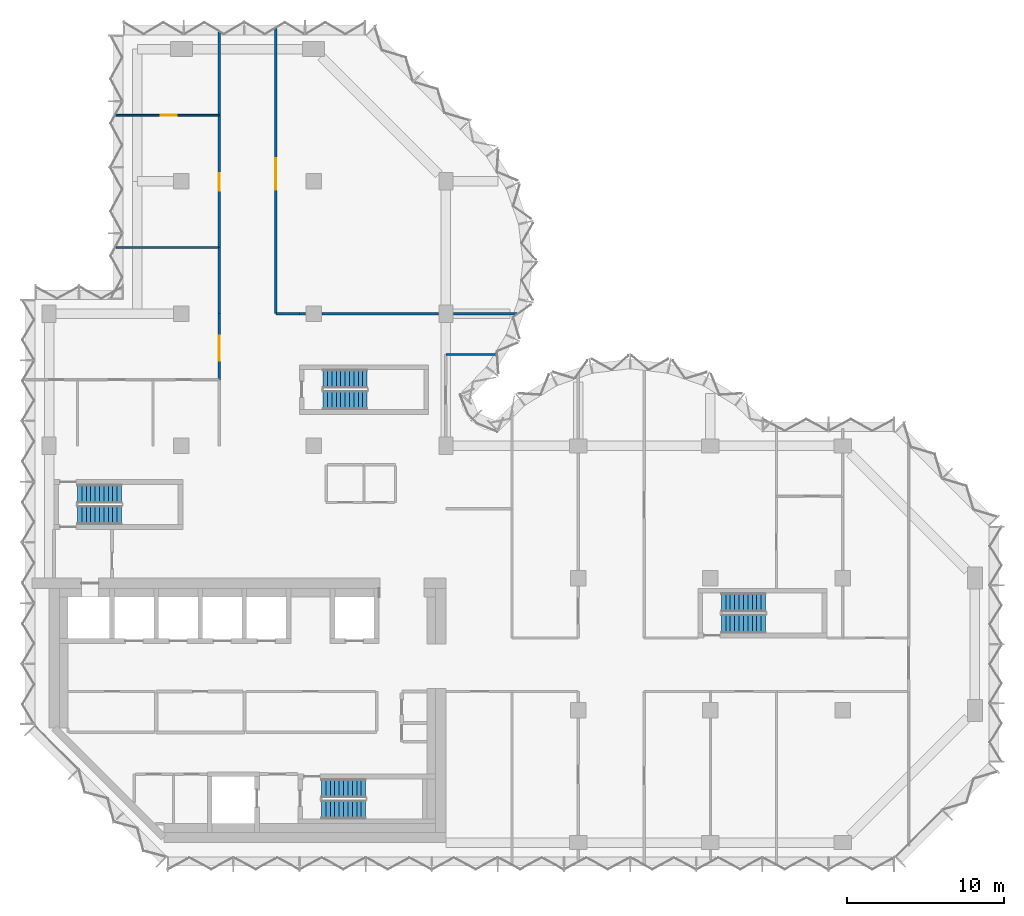
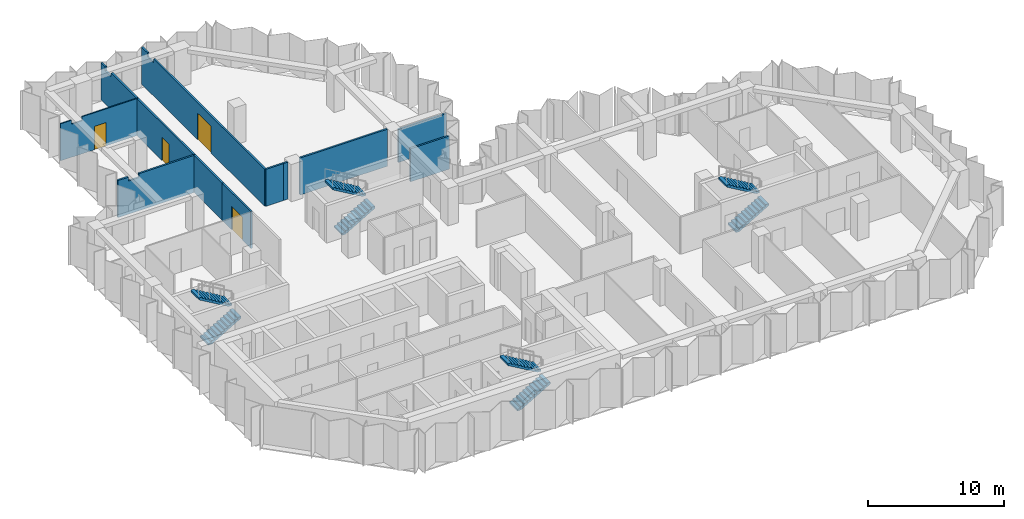
# One storey, part 8 of 10: 12 walls, 8 stair flights, 4 doors, 4 openings, 4 elements without a shape of their own.
"""IFC4 building model written with IfcOpenShell, lengths in metres."""

import ifcopenshell
import ifcopenshell.guid

model = None  # the IFC model being written
_history = None  # IfcOwnerHistory: only IFC2X3 demands one
_inside = {}  # id of a spatial element -> (the spatial element, [elements in it])
_under = {}  # id of a project, library or spatial element -> (it, [spatial elements below it])
_declared = {}  # id of a project -> (the project, [libraries it declares])
_typed = {}  # id of a type object -> (the type object, [elements of that type])
_made_of = {}  # id of a material, layer set ... -> (it, [elements and type objects made of it])


def new_model(schema):
    """Start an empty IFC model of exactly this schema.

    Asked for "IFC4X3", IfcOpenShell would pick the latest addendum, in which some entities
    have other attributes; the version numbers below select the first issue.
    IFC2X3 requires an IfcOwnerHistory on every rooted entity: one is made here for all.
    """
    global model, _history
    if schema == "IFC4X3":
        model = ifcopenshell.file(schema_version=(4, 3, 0, 0))
    else:
        model = ifcopenshell.file(schema=schema)
    _inside.clear()
    _under.clear()
    _declared.clear()
    _typed.clear()
    _made_of.clear()
    _history = None
    if model.schema == "IFC2X3":
        org = make("IfcOrganization", Name="unknown")
        user = make(
            "IfcPersonAndOrganization",
            ThePerson=make("IfcPerson", FamilyName="unknown"),
            TheOrganization=org,
        )
        app = make(
            "IfcApplication",
            ApplicationDeveloper=org,
            Version="unknown",
            ApplicationFullName="unknown",
            ApplicationIdentifier="unknown",
        )
        _history = make(
            "IfcOwnerHistory",
            OwningUser=user,
            OwningApplication=app,
            ChangeAction="ADDED",
            CreationDate=0,
        )
    return model


def make(cls, **values):
    """One entity of the class cls with the attributes given. An attribute that is None is left unset."""
    return model.create_entity(
        cls, **{name: value for name, value in values.items() if value is not None}
    )


def rooted(cls, **values):
    """An entity with a GlobalId (a new one), such as an element, a storey or a relation."""
    return make(cls, GlobalId=ifcopenshell.guid.new(), OwnerHistory=_history, **values)


def si_unit(unit_type, name, prefix=None):
    """IfcSIUnit, for example si_unit("LENGTHUNIT", "METRE", prefix="MILLI")."""
    return make("IfcSIUnit", UnitType=unit_type, Prefix=prefix, Name=name)


def assignment(units):
    """IfcUnitAssignment: the units of a project."""
    return None if units is None else make("IfcUnitAssignment", Units=units)


def point(xyz):
    """IfcCartesianPoint."""
    return None if xyz is None else make("IfcCartesianPoint", Coordinates=xyz)


def direction(xyz):
    """IfcDirection."""
    return None if xyz is None else make("IfcDirection", DirectionRatios=xyz)


def frame(location, z_axis=None, x_axis=None):
    """IfcAxis2Placement3D, a coordinate frame: its origin and axes. An axis left out is left unset."""
    return make(
        "IfcAxis2Placement3D",
        Location=point(location),
        Axis=direction(z_axis),
        RefDirection=direction(x_axis),
    )


def frame_2d(location, x_axis=None):
    """IfcAxis2Placement2D, a coordinate frame in the plane: its origin and x axis."""
    return make(
        "IfcAxis2Placement2D", Location=point(location), RefDirection=direction(x_axis)
    )


def origin():
    """The frame at (0, 0, 0) with its axes left unset."""
    return frame((0.0, 0.0, 0.0))


def place(relative_to, where):
    """IfcLocalPlacement: puts the frame where relative to a parent placement (None: the world)."""
    return make(
        "IfcLocalPlacement", PlacementRelTo=relative_to, RelativePlacement=where
    )


def context(
    kind, dimensions, precision=None, world=None, true_north=None, identifier=None
):
    """IfcGeometricRepresentationContext, for example the 3D "Model" context."""
    return make(
        "IfcGeometricRepresentationContext",
        ContextIdentifier=identifier,
        ContextType=kind,
        CoordinateSpaceDimension=dimensions,
        Precision=precision,
        WorldCoordinateSystem=world,
        TrueNorth=true_north,
    )


def subcontext(parent, identifier, kind, view, scale=None):
    """IfcGeometricRepresentationSubContext, for example "Body" below "Model"."""
    return make(
        "IfcGeometricRepresentationSubContext",
        ContextIdentifier=identifier,
        ContextType=kind,
        ParentContext=parent,
        TargetScale=scale,
        TargetView=view,
    )


def project(units=None, contexts=None):
    """IfcProject with its units and contexts."""
    return rooted(
        "IfcProject",
        Name="project",
        RepresentationContexts=contexts,
        UnitsInContext=assignment(units),
    )


def spatial(cls, under=None, at=None, **own):
    """A site, building, storey or space (cls), placed at a placement, below another one or the project."""
    s = rooted(cls, ObjectPlacement=at, **own)
    if under is not None:
        _under.setdefault(under.id(), (under, []))[1].append(s)
    return s


def polyline(points):
    """IfcPolyline through the points."""
    return make("IfcPolyline", Points=[point(p) for p in points])


def profile(cls, at=None, kind="AREA", **sizes):
    """A parametric profile (cls). Its sizes go by their IFC names, for example OverallWidth=200.0."""
    return make(cls, ProfileType=kind, Position=at, **sizes)


def rectangle(**sizes):
    """IfcRectangleProfileDef."""
    return profile("IfcRectangleProfileDef", **sizes)


def outline(outer, holes=None, kind="AREA"):
    """IfcArbitraryClosedProfileDef: a profile drawn as a closed curve; with holes, ...WithVoids."""
    if holes is None:
        return make("IfcArbitraryClosedProfileDef", ProfileType=kind, OuterCurve=outer)
    return make(
        "IfcArbitraryProfileDefWithVoids",
        ProfileType=kind,
        OuterCurve=outer,
        InnerCurves=holes,
    )


def extrude(swept, where, along, depth):
    """IfcExtrudedAreaSolid: the profile swept, set in the frame where, extruded along a direction by depth."""
    return make(
        "IfcExtrudedAreaSolid",
        SweptArea=swept,
        Position=where,
        ExtrudedDirection=direction(along),
        Depth=depth,
    )


def shape(context_of_items, identifier, shape_type, items):
    """IfcShapeRepresentation: the items that make up one representation, for example the "Body"."""
    return make(
        "IfcShapeRepresentation",
        ContextOfItems=context_of_items,
        RepresentationIdentifier=identifier,
        RepresentationType=shape_type,
        Items=items,
    )


def material(Name=None, Category=None):
    """IfcMaterial."""
    return make("IfcMaterial", Name=Name, Category=Category)


def layer(
    of_material, thickness, ventilated=None, Name=None, Category=None, Priority=None
):
    """IfcMaterialLayer: one layer of a wall or slab, of a material (None: an air gap)."""
    return make(
        "IfcMaterialLayer",
        Material=of_material,
        LayerThickness=thickness,
        IsVentilated=ventilated,
        Name=Name,
        Category=Category,
        Priority=Priority,
    )


def layer_set(layers, Name=None):
    """IfcMaterialLayerSet."""
    return make("IfcMaterialLayerSet", MaterialLayers=layers, LayerSetName=Name)


def made_of(thing, what):
    """Note that an element or type object is made of a material, layer set ...; save() writes the relation."""
    if what is not None:
        _made_of.setdefault(what.id(), (what, []))[1].append(thing)
    return thing


def type_object(cls, material=None, **own):
    """A type object (cls), such as IfcWallType, which elements share."""
    return made_of(rooted(cls, **own), material)


def element(
    cls,
    number,
    at=None,
    inside=None,
    cuts=None,
    type_object=None,
    material=None,
    context=None,
    identifier="Body",
    shape_type=None,
    held_by="IfcProductDefinitionShape",
    body=None,
    shapes=None,
    **own,
):
    """One element of the class cls, such as IfcWall. Its Tag is "e" and its number.

    at: its placement. inside: the storey or other place that contains it. cuts: it is an
    opening in that element (IfcRelVoidsElement). A single representation is given by context,
    identifier, shape_type and body (its items); several are given by shapes. held_by: the class
    of the entity that holds the representations. save() writes the other relations.
    """
    e = rooted(cls, Tag="e%d" % number, ObjectPlacement=at, **own)
    if body is not None:
        shapes = [shape(context, identifier, shape_type, body)]
    if shapes is not None:
        e.Representation = make(held_by, Representations=shapes)
    if inside is not None:
        _inside.setdefault(inside.id(), (inside, []))[1].append(e)
    if cuts is not None:
        rooted(
            "IfcRelVoidsElement", RelatingBuildingElement=cuts, RelatedOpeningElement=e
        )
    if type_object is not None:
        _typed.setdefault(type_object.id(), (type_object, []))[1].append(e)
    return made_of(e, material)


def fill(opening, filler):
    """IfcRelFillsElement: the door or window that sits in an opening."""
    return rooted(
        "IfcRelFillsElement",
        RelatingOpeningElement=opening,
        RelatedBuildingElement=filler,
    )


def aggregate(whole, parts):
    """IfcRelAggregates: a whole, such as a stair, and the parts it consists of."""
    return rooted("IfcRelAggregates", RelatingObject=whole, RelatedObjects=parts)


def save(model, path):
    """Write the relations noted so far, then the file.

    IfcRelAggregates (storeys below a building ...), IfcRelContainedInSpatialStructure (elements
    in a storey), IfcRelDefinesByType, IfcRelAssociatesMaterial and IfcRelDeclares: one each for
    every whole, place, type object, material and project.
    """
    for whole, parts in _under.values():
        aggregate(whole, parts)
    for where, things in _inside.values():
        rooted(
            "IfcRelContainedInSpatialStructure",
            RelatedElements=things,
            RelatingStructure=where,
        )
    for kind, things in _typed.values():
        rooted("IfcRelDefinesByType", RelatedObjects=things, RelatingType=kind)
    for what, things in _made_of.values():
        rooted("IfcRelAssociatesMaterial", RelatedObjects=things, RelatingMaterial=what)
    for by, libraries in _declared.values():
        rooted("IfcRelDeclares", RelatingContext=by, RelatedDefinitions=libraries)
    model.write(path)


model = new_model("IFC4")

# Units and contexts
model_context = context("Model", 3, precision=1e-05, world=origin(), true_north=direction((0.0, 1.0)))
body_context = subcontext(model_context, "Body", "Model", "MODEL_VIEW")
ifc_project = project(units=[si_unit("LENGTHUNIT", "METRE"), si_unit("AREAUNIT", "SQUARE_METRE"), si_unit("VOLUMEUNIT", "CUBIC_METRE"), si_unit("PLANEANGLEUNIT", "RADIAN"), si_unit("MASSUNIT", "GRAM", prefix="KILO")], contexts=[model_context])

# Site, building, storey
site_placement = place(None, origin())
site = spatial("IfcSite", under=ifc_project, at=site_placement, CompositionType="ELEMENT")
building_placement = place(site_placement, origin())
building = spatial("IfcBuilding", under=site, at=building_placement, Name="Brevane Broadcast Tower", CompositionType="ELEMENT")
storey_placement = place(building_placement, frame((0.0, 0.0, 170.39990234375)))
storey = spatial("IfcBuildingStorey", under=building, at=storey_placement, Name="L42", CompositionType="ELEMENT", Elevation=170.39990234375)

# Wall, opening, door
ifc_material_1 = material(Name="Gypsum board partition")
ifc_layer_1 = layer(ifc_material_1, 0.10009765625)
ifc_layer_set_1 = layer_set([ifc_layer_1], Name="PARTITION 100 STUD")
wall_type_1 = type_object("IfcWallType", Name="PARTITION 100 STUD", PredefinedType="PARTITIONING", material=ifc_layer_set_1)
wall_1_placement = place(storey_placement, frame((4.235107421875, 46.199951171875, 0.0), z_axis=(0.0, 0.0, 1.0), x_axis=(1.0, 0.0, 0.0)))
wall_1 = element("IfcWall", 1, at=wall_1_placement, inside=storey, type_object=wall_type_1, Name="Partition G12-054", PredefinedType="PARTITIONING", context=body_context, shape_type="SweptSolid", body=[
    extrude(outline(polyline([(0.0, 0.0), (6.56494140625, 0.0), (6.56494140625, 3.330078125), (1.81494140625, 3.330078125), (1.81298828125, 2.97998046875), (0.9169921875, 2.97998046875), (0.9150390625, 3.330078125), (0.264892578125, 3.330078125), (0.0, 3.330078125), (0.0, 0.0)])), frame((0.0, 0.050048828125, 0.0), z_axis=(0.0, -1.0, 0.0), x_axis=(1.0, 0.0, 0.0)), (0.0, 0.0, 1.0), 0.10009765625),
])
opening_1_placement = place(wall_1_placement, frame((2.864990234375, 0.0, 0.0)))
opening_1 = element("IfcOpeningElement", 2, at=opening_1_placement, cuts=wall_1, Name="Opening D21-018", PredefinedType="OPENING", context=body_context, shape_type="SweptSolid", body=[
    extrude(rectangle(XDim=1.0, YDim=2.10009765625, at=frame_2d((0.5, 1.050048828125))), frame((0.0, 0.06005859375, 0.0), z_axis=(0.0, -1.0, 0.0), x_axis=(1.0, 0.0, 0.0)), (0.0, 0.0, 1.0), 0.1201171875),
])
ifc_material_2 = material(Name="Timber door leaf", Category="wood")
door_type_1 = type_object("IfcDoorType", Name="DOOR SINGLE 1000 INTERNAL", OperationType="SINGLE_SWING_LEFT", PredefinedType="DOOR", material=ifc_material_2)
door_1_placement = place(opening_1_placement, origin())
door_1 = element("IfcDoor", 3, at=door_1_placement, inside=storey, type_object=door_type_1, Name="Door D21-018", OperationType="SINGLE_SWING_LEFT", OverallHeight=2.10009765625, OverallWidth=1.0, PredefinedType="DOOR", context=body_context, shape_type="SweptSolid", body=[
    extrude(rectangle(XDim=1.0, YDim=2.10009765625, at=frame_2d((0.5, 1.050048828125))), frame((0.0, 0.02490234375, 0.0), z_axis=(0.0, -1.0, 0.0), x_axis=(1.0, 0.0, 0.0)), (0.0, 0.0, 1.0), 0.050048828125),
])
fill(opening_1, door_1)

# Wall
ifc_layer_2 = layer(ifc_material_1, 0.14990234375)
ifc_layer_set_2 = layer_set([ifc_layer_2], Name="PARTITION 150 EI 60")
wall_type_2 = type_object("IfcWallType", Name="PARTITION 150 EI 60", PredefinedType="PARTITIONING", material=ifc_layer_set_2)
wall_2_placement = place(storey_placement, frame((25.199951171875, 31.0, 0.0), z_axis=(0.0, 0.0, 1.0), x_axis=(1.0, 0.0, 0.0)))
element("IfcWall", 4, at=wall_2_placement, inside=storey, type_object=wall_type_2, Name="Partition G12-006", PredefinedType="PARTITIONING", context=body_context, shape_type="SweptSolid", body=[
    extrude(rectangle(XDim=3.32421875, YDim=0.14990234375, at=frame_2d((1.662109375, 0.0))), origin(), (0.0, 0.0, 1.0), 2.97998046875),
])

# Wall, opening, door
wall_3_placement = place(storey_placement, frame((10.800048828125, 29.39990234375, 0.0), z_axis=(0.0, 0.0, 1.0), x_axis=(0.0, 1.0, 0.0)))
wall_3 = element("IfcWall", 5, at=wall_3_placement, inside=storey, type_object=wall_type_2, Name="Partition G12-038", PredefinedType="PARTITIONING", context=body_context, shape_type="SweptSolid", body=[
    extrude(rectangle(XDim=4.2001953125, YDim=0.14990234375, at=frame_2d((2.10009765625, 0.0))), origin(), (0.0, 0.0, 1.0), 3.330078125),
])
opening_2_placement = place(wall_3_placement, frame((1.199951171875, 0.0, 0.0)))
opening_2 = element("IfcOpeningElement", 6, at=opening_2_placement, cuts=wall_3, Name="Opening D21-013", PredefinedType="OPENING", context=body_context, shape_type="SweptSolid", body=[
    extrude(rectangle(XDim=1.60009765625, YDim=2.10009765625, at=frame_2d((0.800048828125, 1.050048828125))), frame((0.0, 0.0849609375, 0.0), z_axis=(0.0, -1.0, 0.0), x_axis=(1.0, 0.0, 0.0)), (0.0, 0.0, 1.0), 0.169921875),
])
ifc_material_3 = material(Name="Fire-rated timber door leaf", Category="wood")
door_type_2 = type_object("IfcDoorType", Name="DOOR DOUBLE 1600 FD30S", OperationType="DOUBLE_DOOR_SINGLE_SWING", PredefinedType="DOOR", material=ifc_material_3)
door_2_placement = place(opening_2_placement, origin())
door_2 = element("IfcDoor", 7, at=door_2_placement, inside=storey, type_object=door_type_2, Name="Door D21-013", OperationType="DOUBLE_DOOR_SINGLE_SWING", OverallHeight=2.10009765625, OverallWidth=1.60009765625, PredefinedType="DOOR", context=body_context, shape_type="SweptSolid", body=[
    extrude(rectangle(XDim=1.60009765625, YDim=2.10009765625, at=frame_2d((0.800048828125, 1.050048828125))), frame((0.0, 0.02490234375, 0.0), z_axis=(0.0, -1.0, 0.0), x_axis=(1.0, 0.0, 0.0)), (0.0, 0.0, 1.0), 0.050048828125),
])
fill(opening_2, door_2)

# Walls
wall_4_placement = place(storey_placement, frame((14.39990234375, 33.60009765625, 0.0), z_axis=(0.0, 0.0, 1.0), x_axis=(1.0, 0.0, 0.0)))
element("IfcWall", 8, at=wall_4_placement, inside=storey, type_object=wall_type_2, Name="Partition G12-040", PredefinedType="PARTITIONING", context=body_context, shape_type="SweptSolid", body=[
    extrude(rectangle(XDim=1.5, YDim=0.14990234375, at=frame_2d((0.75, 0.0))), origin(), (0.0, 0.0, 1.0), 3.330078125),
])
wall_5_placement = place(storey_placement, frame((15.89990234375, 33.60009765625, 0.0), z_axis=(0.0, 0.0, 1.0), x_axis=(1.0, 0.0, 0.0)))
element("IfcWall", 9, at=wall_5_placement, inside=storey, type_object=wall_type_2, Name="Partition G12-041", PredefinedType="PARTITIONING", context=body_context, shape_type="SweptSolid", body=[
    extrude(rectangle(XDim=0.380126953125, YDim=0.14990234375, at=frame_2d((0.18994140625, 0.0))), origin(), (0.0, 0.0, 1.0), 3.330078125),
])
wall_6_placement = place(storey_placement, frame((17.320068359375, 33.60009765625, 0.0), z_axis=(0.0, 0.0, 1.0), x_axis=(1.0, 0.0, 0.0)))
element("IfcWall", 10, at=wall_6_placement, inside=storey, type_object=wall_type_2, Name="Partition G12-042", PredefinedType="PARTITIONING", context=body_context, shape_type="SweptSolid", body=[
    extrude(rectangle(XDim=7.409912109375, YDim=0.14990234375, at=frame_2d((3.705078125, 0.0))), origin(), (0.0, 0.0, 1.0), 3.330078125),
])
wall_7_placement = place(storey_placement, frame((25.669921875, 33.60009765625, 0.0), z_axis=(0.0, 0.0, 1.0), x_axis=(1.0, 0.0, 0.0)))
element("IfcWall", 11, at=wall_7_placement, inside=storey, type_object=wall_type_2, Name="Partition G12-043", PredefinedType="PARTITIONING", context=body_context, shape_type="SweptSolid", body=[
    extrude(rectangle(XDim=4.092041015625, YDim=0.14990234375, at=frame_2d((2.0458984375, 0.0))), origin(), (0.0, 0.0, 1.0), 2.97998046875),
])
wall_8_placement = place(storey_placement, frame((10.800048828125, 33.60009765625, 0.0), z_axis=(0.0, 0.0, 1.0), x_axis=(0.0, 1.0, 0.0)))
element("IfcWall", 12, at=wall_8_placement, inside=storey, type_object=wall_type_2, Name="Partition G12-044", PredefinedType="PARTITIONING", context=body_context, shape_type="SweptSolid", body=[
    extrude(rectangle(XDim=4.199951171875, YDim=0.14990234375, at=frame_2d((2.10009765625, 0.0))), origin(), (0.0, 0.0, 1.0), 3.330078125),
])

# Wall, opening, door
wall_9_placement = place(storey_placement, frame((10.800048828125, 37.800048828125, 0.0), z_axis=(0.0, 0.0, 1.0), x_axis=(0.0, 1.0, 0.0)))
wall_9 = element("IfcWall", 13, at=wall_9_placement, inside=storey, type_object=wall_type_2, Name="Partition G12-045", PredefinedType="PARTITIONING", context=body_context, shape_type="SweptSolid", body=[
    extrude(rectangle(XDim=8.39990234375, YDim=0.14990234375, at=frame_2d((4.199951171875, 0.0))), origin(), (0.0, 0.0, 1.0), 3.330078125),
])
opening_3_placement = place(wall_9_placement, frame((3.60009765625, 0.0, 0.0)))
opening_3 = element("IfcOpeningElement", 14, at=opening_3_placement, cuts=wall_9, Name="Opening D21-017", PredefinedType="OPENING", context=body_context, shape_type="SweptSolid", body=[
    extrude(rectangle(XDim=1.10009765625, YDim=2.10009765625, at=frame_2d((0.550048828125, 1.050048828125))), frame((0.0, 0.0849609375, 0.0), z_axis=(0.0, -1.0, 0.0), x_axis=(1.0, 0.0, 0.0)), (0.0, 0.0, 1.0), 0.169921875),
])
door_type_3 = type_object("IfcDoorType", Name="DOOR SINGLE 1100 FD30S", OperationType="SINGLE_SWING_LEFT", PredefinedType="DOOR", material=ifc_material_3)
door_3_placement = place(opening_3_placement, origin())
door_3 = element("IfcDoor", 15, at=door_3_placement, inside=storey, type_object=door_type_3, Name="Door D21-017", OperationType="SINGLE_SWING_LEFT", OverallHeight=2.10009765625, OverallWidth=1.10009765625, PredefinedType="DOOR", context=body_context, shape_type="SweptSolid", body=[
    extrude(rectangle(XDim=1.10009765625, YDim=2.10009765625, at=frame_2d((0.550048828125, 1.050048828125))), frame((0.0, 0.02490234375, 0.0), z_axis=(0.0, -1.0, 0.0), x_axis=(1.0, 0.0, 0.0)), (0.0, 0.0, 1.0), 0.050048828125),
])
fill(opening_3, door_3)

# Wall
wall_10_placement = place(storey_placement, frame((10.800048828125, 46.199951171875, 0.0), z_axis=(0.0, 0.0, 1.0), x_axis=(0.0, 1.0, 0.0)))
element("IfcWall", 16, at=wall_10_placement, inside=storey, type_object=wall_type_2, Name="Partition G12-046", PredefinedType="PARTITIONING", context=body_context, shape_type="SweptSolid", body=[
    extrude(outline(polyline([(0.0, 0.0), (5.280029296875, 0.0), (5.280029296875, 3.330078125), (4.64990234375, 3.330078125), (4.64794921875, 2.97998046875), (3.751953125, 2.97998046875), (3.75, 3.330078125), (0.0, 3.330078125), (0.0, 0.0)])), frame((0.0, 0.074951171875, 0.0), z_axis=(0.0, -1.0, 0.0), x_axis=(1.0, 0.0, 0.0)), (0.0, 0.0, 1.0), 0.14990234375),
])

# Wall, opening, door
wall_11_placement = place(storey_placement, frame((14.39990234375, 51.71337890625, 0.0), z_axis=(0.0, 0.0, 1.0), x_axis=(0.0, -1.0, 0.0)))
wall_11 = element("IfcWall", 17, at=wall_11_placement, inside=storey, type_object=wall_type_2, Name="Partition G12-047", PredefinedType="PARTITIONING", context=body_context, shape_type="SweptSolid", body=[
    extrude(outline(polyline([(0.0, 0.0), (18.11328125, 0.0), (18.11328125, 3.330078125), (1.76318359375, 3.330078125), (1.76123046875, 2.97998046875), (0.865234375, 2.97998046875), (0.86328125, 3.330078125), (0.2333984375, 3.330078125), (0.0, 3.330078125), (0.0, 0.0)])), frame((0.0, 0.074951171875, 0.0), z_axis=(0.0, -1.0, 0.0), x_axis=(1.0, 0.0, 0.0)), (0.0, 0.0, 1.0), 0.14990234375),
])
opening_4_placement = place(wall_11_placement, frame((8.2333984375, 0.0, 0.0)))
opening_4 = element("IfcOpeningElement", 18, at=opening_4_placement, cuts=wall_11, Name="Opening D21-019", PredefinedType="OPENING", context=body_context, shape_type="SweptSolid", body=[
    extrude(rectangle(XDim=2.0, YDim=2.39990234375, at=frame_2d((1.0, 1.199951171875))), frame((0.0, 0.0849609375, 0.0), z_axis=(0.0, -1.0, 0.0), x_axis=(1.0, 0.0, 0.0)), (0.0, 0.0, 1.0), 0.169921875),
])
door_type_4 = type_object("IfcDoorType", Name="DOOR DOUBLE 2000 FD30S", OperationType="DOUBLE_DOOR_SINGLE_SWING", PredefinedType="DOOR", material=ifc_material_3)
door_4_placement = place(opening_4_placement, origin())
door_4 = element("IfcDoor", 19, at=door_4_placement, inside=storey, type_object=door_type_4, Name="Door D21-019", OperationType="DOUBLE_DOOR_SINGLE_SWING", OverallHeight=2.39990234375, OverallWidth=2.0, PredefinedType="DOOR", context=body_context, shape_type="SweptSolid", body=[
    extrude(rectangle(XDim=2.0, YDim=2.39990234375, at=frame_2d((1.0, 1.199951171875))), frame((0.0, 0.02490234375, 0.0), z_axis=(0.0, -1.0, 0.0), x_axis=(1.0, 0.0, 0.0)), (0.0, 0.0, 1.0), 0.050048828125),
])
fill(opening_4, door_4)

# Wall
wall_12_placement = place(storey_placement, frame((4.235107421875, 37.800048828125, 0.0), z_axis=(0.0, 0.0, 1.0), x_axis=(1.0, 0.0, 0.0)))
element("IfcWall", 20, at=wall_12_placement, inside=storey, type_object=wall_type_2, Name="Partition G12-051", PredefinedType="PARTITIONING", context=body_context, shape_type="SweptSolid", body=[
    extrude(outline(polyline([(0.0, 0.0), (6.56494140625, 0.0), (6.56494140625, 3.330078125), (1.81494140625, 3.330078125), (1.81298828125, 2.97998046875), (0.9169921875, 2.97998046875), (0.9150390625, 3.330078125), (0.264892578125, 3.330078125), (0.0, 3.330078125), (0.0, 0.0)])), frame((0.0, 0.074951171875, 0.0), z_axis=(0.0, -1.0, 0.0), x_axis=(1.0, 0.0, 0.0)), (0.0, 0.0, 1.0), 0.14990234375),
])

# Stair, stair flights
ifc_material_4 = material(Name="Concrete C50/60", Category="concrete")
stair_type = type_object("IfcStairType", Name="Exit stair 22 risers", PredefinedType="HALF_TURN_STAIR", material=ifc_material_4)
stair_1_placement = place(storey_placement, origin())
stair_1 = element("IfcStair", 21, at=stair_1_placement, inside=storey, type_object=stair_type, Name="L42 Exit stair ST-1", PredefinedType="HALF_TURN_STAIR")
stair_flight_type = type_object("IfcStairFlightType", Name="Exit stair flight 22 risers", PredefinedType="STRAIGHT", material=ifc_material_4)
stair_flight_1_placement = place(storey_placement, frame((1.800048828125, 20.800048828125, 0.0), z_axis=(0.0, 0.0, 1.0), x_axis=(1.0, 0.0, 0.0)))
stair_flight_1 = element("IfcStairFlight", 22, at=stair_flight_1_placement, type_object=stair_flight_type, Name="ST-1 flight 1", NumberOfRisers=11, NumberOfTreads=10, PredefinedType="STRAIGHT", RiserHeight=0.163636364, TreadLength=0.28, context=body_context, shape_type="SweptSolid", body=[
    extrude(outline(polyline([(0.0, 0.0), (0.0, 0.16357421875), (0.280029296875, 0.16357421875), (0.280029296875, 0.327392578125), (0.56005859375, 0.327392578125), (0.56005859375, 0.490966796875), (0.840087890625, 0.490966796875), (0.840087890625, 0.654541015625), (1.1201171875, 0.654541015625), (1.1201171875, 0.818115234375), (1.39990234375, 0.818115234375), (1.39990234375, 0.98193359375), (1.679931640625, 0.98193359375), (1.679931640625, 1.1455078125), (1.9599609375, 1.1455078125), (1.9599609375, 1.30908203125), (2.239990234375, 1.30908203125), (2.239990234375, 1.47265625), (2.52001953125, 1.47265625), (2.52001953125, 1.636474609375), (2.800048828125, 1.636474609375), (2.800048828125, 1.800048828125), (2.800048828125, 1.462646484375), (0.297119140625, 0.0), (0.0, 0.0)])), frame((0.0, 0.60009765625, 0.0), z_axis=(0.0, -1.0, 0.0), x_axis=(1.0, 0.0, 0.0)), (0.0, 0.0, 1.0), 1.199951171875),
])
stair_flight_2_placement = place(storey_placement, frame((4.60009765625, 22.14990234375, 1.800048828125), z_axis=(0.0, 0.0, 1.0), x_axis=(-1.0, 0.0, 0.0)))
stair_flight_2 = element("IfcStairFlight", 23, at=stair_flight_2_placement, type_object=stair_flight_type, Name="ST-1 flight 2", NumberOfRisers=11, NumberOfTreads=10, PredefinedType="STRAIGHT", RiserHeight=0.163636364, TreadLength=0.28, context=body_context, shape_type="SweptSolid", body=[
    extrude(outline(polyline([(0.0, 0.0), (0.0, 0.16357421875), (0.280029296875, 0.16357421875), (0.280029296875, 0.327392578125), (0.56005859375, 0.327392578125), (0.56005859375, 0.490966796875), (0.840087890625, 0.490966796875), (0.840087890625, 0.654541015625), (1.1201171875, 0.654541015625), (1.1201171875, 0.818115234375), (1.39990234375, 0.818115234375), (1.39990234375, 0.98193359375), (1.679931640625, 0.98193359375), (1.679931640625, 1.1455078125), (1.9599609375, 1.1455078125), (1.9599609375, 1.30908203125), (2.239990234375, 1.30908203125), (2.239990234375, 1.47265625), (2.52001953125, 1.47265625), (2.52001953125, 1.636474609375), (2.800048828125, 1.636474609375), (2.800048828125, 1.800048828125), (2.800048828125, 1.462646484375), (0.297119140625, 0.0), (0.0, 0.0)])), frame((0.0, 0.60009765625, 0.0), z_axis=(0.0, -1.0, 0.0), x_axis=(1.0, 0.0, 0.0)), (0.0, 0.0, 1.0), 1.199951171875),
])
aggregate(stair_1, [stair_flight_1, stair_flight_2])

stair_2_placement = place(storey_placement, origin())
stair_2 = element("IfcStair", 24, at=stair_2_placement, inside=storey, type_object=stair_type, Name="L42 Exit stair ST-2", PredefinedType="HALF_TURN_STAIR")
stair_flight_3_placement = place(storey_placement, frame((17.300048828125, 2.10009765625, 0.0), z_axis=(0.0, 0.0, 1.0), x_axis=(1.0, 0.0, 0.0)))
stair_flight_3 = element("IfcStairFlight", 25, at=stair_flight_3_placement, type_object=stair_flight_type, Name="ST-2 flight 1", NumberOfRisers=11, NumberOfTreads=10, PredefinedType="STRAIGHT", RiserHeight=0.163636364, TreadLength=0.28, context=body_context, shape_type="SweptSolid", body=[
    extrude(outline(polyline([(0.0, 0.0), (0.0, 0.16357421875), (0.280029296875, 0.16357421875), (0.280029296875, 0.327392578125), (0.56005859375, 0.327392578125), (0.56005859375, 0.490966796875), (0.840087890625, 0.490966796875), (0.840087890625, 0.654541015625), (1.1201171875, 0.654541015625), (1.1201171875, 0.818115234375), (1.39990234375, 0.818115234375), (1.39990234375, 0.98193359375), (1.679931640625, 0.98193359375), (1.679931640625, 1.1455078125), (1.9599609375, 1.1455078125), (1.9599609375, 1.30908203125), (2.239990234375, 1.30908203125), (2.239990234375, 1.47265625), (2.52001953125, 1.47265625), (2.52001953125, 1.636474609375), (2.800048828125, 1.636474609375), (2.800048828125, 1.800048828125), (2.800048828125, 1.462646484375), (0.297119140625, 0.0), (0.0, 0.0)])), frame((0.0, 0.60009765625, 0.0), z_axis=(0.0, -1.0, 0.0), x_axis=(1.0, 0.0, 0.0)), (0.0, 0.0, 1.0), 1.199951171875),
])
stair_flight_4_placement = place(storey_placement, frame((20.10009765625, 3.449951171875, 1.800048828125), z_axis=(0.0, 0.0, 1.0), x_axis=(-1.0, 0.0, 0.0)))
stair_flight_4 = element("IfcStairFlight", 26, at=stair_flight_4_placement, type_object=stair_flight_type, Name="ST-2 flight 2", NumberOfRisers=11, NumberOfTreads=10, PredefinedType="STRAIGHT", RiserHeight=0.163636364, TreadLength=0.28, context=body_context, shape_type="SweptSolid", body=[
    extrude(outline(polyline([(0.0, 0.0), (0.0, 0.16357421875), (0.280029296875, 0.16357421875), (0.280029296875, 0.327392578125), (0.56005859375, 0.327392578125), (0.56005859375, 0.490966796875), (0.840087890625, 0.490966796875), (0.840087890625, 0.654541015625), (1.1201171875, 0.654541015625), (1.1201171875, 0.818115234375), (1.39990234375, 0.818115234375), (1.39990234375, 0.98193359375), (1.679931640625, 0.98193359375), (1.679931640625, 1.1455078125), (1.9599609375, 1.1455078125), (1.9599609375, 1.30908203125), (2.239990234375, 1.30908203125), (2.239990234375, 1.47265625), (2.52001953125, 1.47265625), (2.52001953125, 1.636474609375), (2.800048828125, 1.636474609375), (2.800048828125, 1.800048828125), (2.800048828125, 1.462646484375), (0.297119140625, 0.0), (0.0, 0.0)])), frame((0.0, 0.60009765625, 0.0), z_axis=(0.0, -1.0, 0.0), x_axis=(1.0, 0.0, 0.0)), (0.0, 0.0, 1.0), 1.199951171875),
])
aggregate(stair_2, [stair_flight_3, stair_flight_4])

stair_3_placement = place(storey_placement, origin())
stair_3 = element("IfcStair", 27, at=stair_3_placement, inside=storey, type_object=stair_type, Name="L42 Exit stair ST-3", PredefinedType="HALF_TURN_STAIR")
stair_flight_5_placement = place(storey_placement, frame((17.39990234375, 28.10009765625, 0.0), z_axis=(0.0, 0.0, 1.0), x_axis=(1.0, 0.0, 0.0)))
stair_flight_5 = element("IfcStairFlight", 28, at=stair_flight_5_placement, type_object=stair_flight_type, Name="ST-3 flight 1", NumberOfRisers=11, NumberOfTreads=10, PredefinedType="STRAIGHT", RiserHeight=0.163636364, TreadLength=0.28, context=body_context, shape_type="SweptSolid", body=[
    extrude(outline(polyline([(0.0, 0.0), (0.0, 0.16357421875), (0.280029296875, 0.16357421875), (0.280029296875, 0.327392578125), (0.56005859375, 0.327392578125), (0.56005859375, 0.490966796875), (0.840087890625, 0.490966796875), (0.840087890625, 0.654541015625), (1.1201171875, 0.654541015625), (1.1201171875, 0.818115234375), (1.39990234375, 0.818115234375), (1.39990234375, 0.98193359375), (1.679931640625, 0.98193359375), (1.679931640625, 1.1455078125), (1.9599609375, 1.1455078125), (1.9599609375, 1.30908203125), (2.239990234375, 1.30908203125), (2.239990234375, 1.47265625), (2.52001953125, 1.47265625), (2.52001953125, 1.636474609375), (2.800048828125, 1.636474609375), (2.800048828125, 1.800048828125), (2.800048828125, 1.462646484375), (0.297119140625, 0.0), (0.0, 0.0)])), frame((0.0, 0.60009765625, 0.0), z_axis=(0.0, -1.0, 0.0), x_axis=(1.0, 0.0, 0.0)), (0.0, 0.0, 1.0), 1.199951171875),
])
stair_flight_6_placement = place(storey_placement, frame((20.199951171875, 29.449951171875, 1.800048828125), z_axis=(0.0, 0.0, 1.0), x_axis=(-1.0, 0.0, 0.0)))
stair_flight_6 = element("IfcStairFlight", 29, at=stair_flight_6_placement, type_object=stair_flight_type, Name="ST-3 flight 2", NumberOfRisers=11, NumberOfTreads=10, PredefinedType="STRAIGHT", RiserHeight=0.163636364, TreadLength=0.28, context=body_context, shape_type="SweptSolid", body=[
    extrude(outline(polyline([(0.0, 0.0), (0.0, 0.16357421875), (0.280029296875, 0.16357421875), (0.280029296875, 0.327392578125), (0.56005859375, 0.327392578125), (0.56005859375, 0.490966796875), (0.840087890625, 0.490966796875), (0.840087890625, 0.654541015625), (1.1201171875, 0.654541015625), (1.1201171875, 0.818115234375), (1.39990234375, 0.818115234375), (1.39990234375, 0.98193359375), (1.679931640625, 0.98193359375), (1.679931640625, 1.1455078125), (1.9599609375, 1.1455078125), (1.9599609375, 1.30908203125), (2.239990234375, 1.30908203125), (2.239990234375, 1.47265625), (2.52001953125, 1.47265625), (2.52001953125, 1.636474609375), (2.800048828125, 1.636474609375), (2.800048828125, 1.800048828125), (2.800048828125, 1.462646484375), (0.297119140625, 0.0), (0.0, 0.0)])), frame((0.0, 0.60009765625, 0.0), z_axis=(0.0, -1.0, 0.0), x_axis=(1.0, 0.0, 0.0)), (0.0, 0.0, 1.0), 1.199951171875),
])
aggregate(stair_3, [stair_flight_5, stair_flight_6])

stair_4_placement = place(storey_placement, origin())
stair_4 = element("IfcStair", 30, at=stair_4_placement, inside=storey, type_object=stair_type, Name="L42 Exit stair ST-4", PredefinedType="HALF_TURN_STAIR")
stair_flight_7_placement = place(storey_placement, frame((42.699951171875, 13.89990234375, 0.0), z_axis=(0.0, 0.0, 1.0), x_axis=(1.0, 0.0, 0.0)))
stair_flight_7 = element("IfcStairFlight", 31, at=stair_flight_7_placement, type_object=stair_flight_type, Name="ST-4 flight 1", NumberOfRisers=11, NumberOfTreads=10, PredefinedType="STRAIGHT", RiserHeight=0.163636364, TreadLength=0.28, context=body_context, shape_type="SweptSolid", body=[
    extrude(outline(polyline([(0.0, 0.0), (0.0, 0.16357421875), (0.280029296875, 0.16357421875), (0.280029296875, 0.327392578125), (0.56005859375, 0.327392578125), (0.56005859375, 0.490966796875), (0.840087890625, 0.490966796875), (0.840087890625, 0.654541015625), (1.1201171875, 0.654541015625), (1.1201171875, 0.818115234375), (1.39990234375, 0.818115234375), (1.39990234375, 0.98193359375), (1.679931640625, 0.98193359375), (1.679931640625, 1.1455078125), (1.9599609375, 1.1455078125), (1.9599609375, 1.30908203125), (2.239990234375, 1.30908203125), (2.239990234375, 1.47265625), (2.52001953125, 1.47265625), (2.52001953125, 1.636474609375), (2.800048828125, 1.636474609375), (2.800048828125, 1.800048828125), (2.800048828125, 1.462646484375), (0.297119140625, 0.0), (0.0, 0.0)])), frame((0.0, 0.60009765625, 0.0), z_axis=(0.0, -1.0, 0.0), x_axis=(1.0, 0.0, 0.0)), (0.0, 0.0, 1.0), 1.199951171875),
])
stair_flight_8_placement = place(storey_placement, frame((45.5, 15.25, 1.800048828125), z_axis=(0.0, 0.0, 1.0), x_axis=(-1.0, 0.0, 0.0)))
stair_flight_8 = element("IfcStairFlight", 32, at=stair_flight_8_placement, type_object=stair_flight_type, Name="ST-4 flight 2", NumberOfRisers=11, NumberOfTreads=10, PredefinedType="STRAIGHT", RiserHeight=0.163636364, TreadLength=0.28, context=body_context, shape_type="SweptSolid", body=[
    extrude(outline(polyline([(0.0, 0.0), (0.0, 0.16357421875), (0.280029296875, 0.16357421875), (0.280029296875, 0.327392578125), (0.56005859375, 0.327392578125), (0.56005859375, 0.490966796875), (0.840087890625, 0.490966796875), (0.840087890625, 0.654541015625), (1.1201171875, 0.654541015625), (1.1201171875, 0.818115234375), (1.39990234375, 0.818115234375), (1.39990234375, 0.98193359375), (1.679931640625, 0.98193359375), (1.679931640625, 1.1455078125), (1.9599609375, 1.1455078125), (1.9599609375, 1.30908203125), (2.239990234375, 1.30908203125), (2.239990234375, 1.47265625), (2.52001953125, 1.47265625), (2.52001953125, 1.636474609375), (2.800048828125, 1.636474609375), (2.800048828125, 1.800048828125), (2.800048828125, 1.462646484375), (0.297119140625, 0.0), (0.0, 0.0)])), frame((0.0, 0.60009765625, 0.0), z_axis=(0.0, -1.0, 0.0), x_axis=(1.0, 0.0, 0.0)), (0.0, 0.0, 1.0), 1.199951171875),
])
aggregate(stair_4, [stair_flight_7, stair_flight_8])

save(model, "model.ifc")
